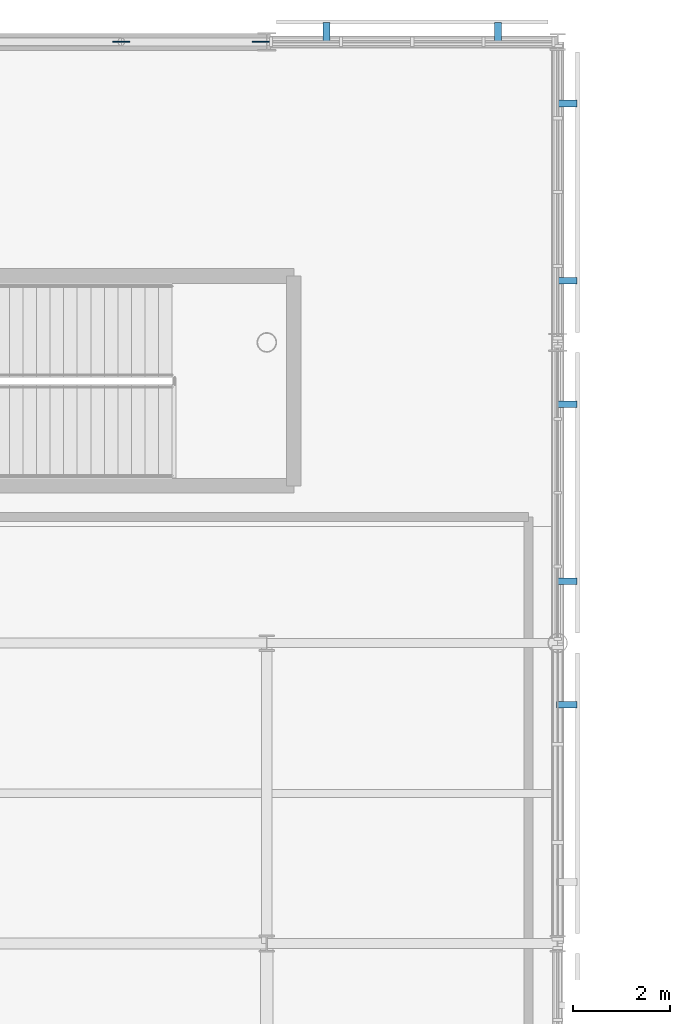
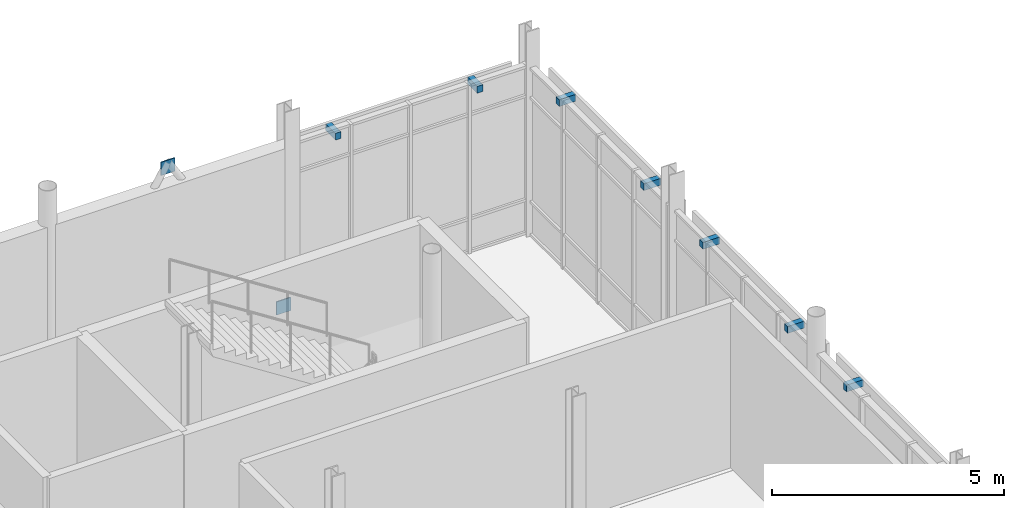
# One storey, part 90 of 105: 9 discrete accessories.
"""IFC4 building model written with IfcOpenShell, lengths in metres."""

from ifc_helpers import new_model, si_unit, direction, frame, origin, origin_2d, place, context, subcontext, project, spatial, rectangle, extrude, material, type_object, element, save


model = new_model("IFC4")

# Units and contexts
model_context = context("Model", 3, precision=1e-05, world=origin(), true_north=direction((0.0, 1.0)))
body_context = subcontext(model_context, "Body", "Model", "MODEL_VIEW")
ifc_project = project(units=[si_unit("LENGTHUNIT", "METRE"), si_unit("AREAUNIT", "SQUARE_METRE"), si_unit("VOLUMEUNIT", "CUBIC_METRE"), si_unit("PLANEANGLEUNIT", "RADIAN"), si_unit("MASSUNIT", "GRAM", prefix="KILO")], contexts=[model_context])

# Site, building, storey
site_placement = place(None, origin())
site = spatial("IfcSite", under=ifc_project, at=site_placement, CompositionType="ELEMENT")
building_placement = place(site_placement, origin())
building = spatial("IfcBuilding", under=site, at=building_placement, Name="Mirzam Square Science Centre", CompositionType="ELEMENT")
storey_placement = place(building_placement, frame((0.0, 0.0, 5.39990234375)))
storey = spatial("IfcBuildingStorey", under=building, at=storey_placement, Name="L01", CompositionType="ELEMENT", Elevation=5.39990234375)

# Discrete accessories
ifc_material = material(Name="Steel S355", Category="steel")
discrete_accessory_type_1 = type_object("IfcDiscreteAccessoryType", Name="BK-BRACE-GUSSET", PredefinedType="BRACKET", material=ifc_material)
for number, where, z_axis, x_axis, name in (
    (1, (131.8798828125, 111.60009765625, -0.0048828125), (0.0, 0.0, 1.0), (1.0, 0.0, 0.0), "L01 brace gusset plate 9B"),
    (2, (129.0, 111.60009765625, 4.679931640625), (0.0, 0.0, 1.0), (1.0, 0.0, 0.0), "L01 brace apex gusset plate 9"),
):
    element("IfcDiscreteAccessory", number, at=place(storey_placement, frame(where, z_axis=z_axis, x_axis=x_axis)), inside=storey, type_object=discrete_accessory_type_1, Name=name, PredefinedType="BRACKET", context=body_context, shape_type="SweptSolid", body=[
        extrude(rectangle(XDim=0.35009765625, YDim=0.02490234375, at=origin_2d()), origin(), (0.0, 0.0, 1.0), 0.35009765625),
    ])
discrete_accessory_type_2 = type_object("IfcDiscreteAccessoryType", Name="BRK-BRISE-STEEL", PredefinedType="BRACKET", material=ifc_material)
for number, where, z_axis, x_axis, name in (
    (3, (136.76708984375, 111.7900390625, 4.10009765625), (0.0, 0.0, 1.0), (-1.0, 0.0, 0.0), "L01 brise-soleil support bracket 81"),
    (4, (133.23291015625, 111.7900390625, 4.10009765625), (0.0, 0.0, 1.0), (-1.0, 0.0, 0.0), "L01 brise-soleil support bracket 81"),
    (5, (138.18994140625, 97.927001953125, 4.10009765625), (0.0, 0.0, 1.0), (0.0, 1.0, 0.0), "L01 brise-soleil support bracket 85"),
    (6, (138.18994140625, 100.472900390625, 4.10009765625), (0.0, 0.0, 1.0), (0.0, 1.0, 0.0), "L01 brise-soleil support bracket 87"),
    (7, (138.18994140625, 104.126953125, 4.10009765625), (0.0, 0.0, 1.0), (0.0, 1.0, 0.0), "L01 brise-soleil support bracket 87"),
    (8, (138.18994140625, 106.673095703125, 4.10009765625), (0.0, 0.0, 1.0), (0.0, 1.0, 0.0), "L01 brise-soleil support bracket 89"),
    (9, (138.18994140625, 110.326904296875, 4.10009765625), (0.0, 0.0, 1.0), (0.0, 1.0, 0.0), "L01 brise-soleil support bracket 89"),
):
    element("IfcDiscreteAccessory", number, at=place(storey_placement, frame(where, z_axis=z_axis, x_axis=x_axis)), inside=storey, type_object=discrete_accessory_type_2, Name=name, PredefinedType="BRACKET", context=body_context, shape_type="SweptSolid", body=[
        extrude(rectangle(XDim=0.139892578125, YDim=0.419921875, at=origin_2d()), origin(), (0.0, 0.0, 1.0), 0.179931640625),
    ])

save(model, "model.ifc")
